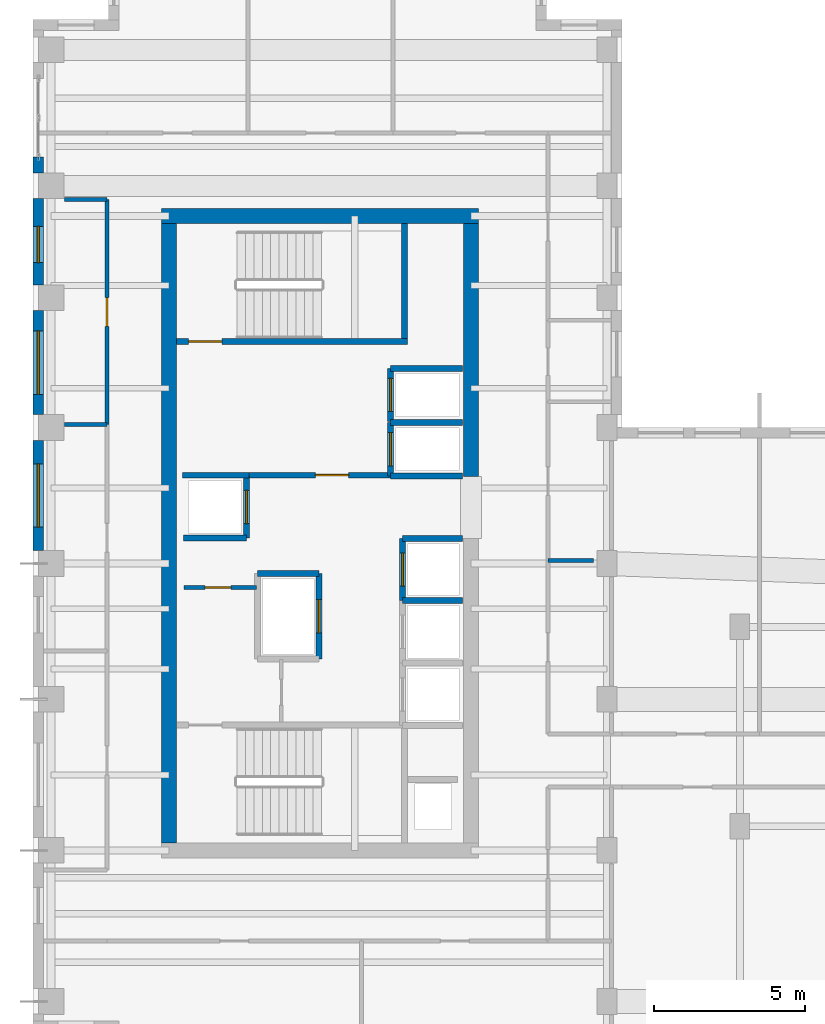
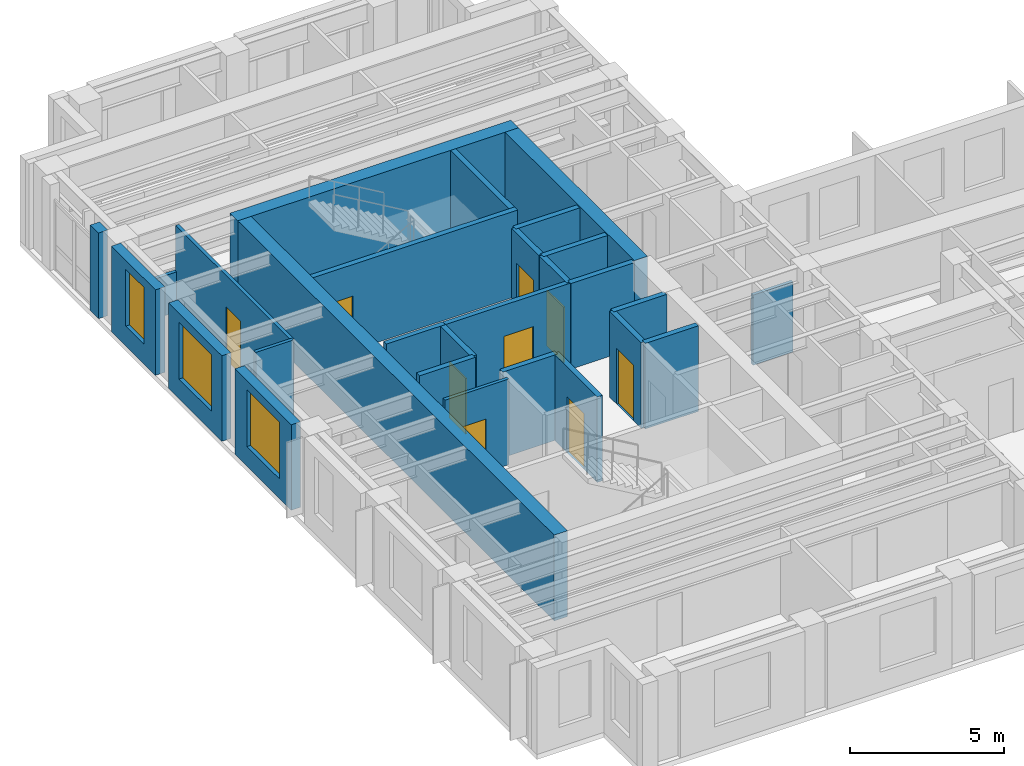
# One storey, part 7 of 13: 28 walls, 9 doors, 3 windows, 12 openings.
"""IFC4 building model written with IfcOpenShell, lengths in metres."""

from ifc_helpers import new_model, si_unit, direction, frame, frame_2d, origin, place, context, subcontext, project, spatial, rectangle, extrude, source, transform, mapped, material, layer, layer_set, type_object, element, fill, save


model = new_model("IFC4")

# Units and contexts
model_context = context("Model", 3, precision=1e-05, world=origin(), true_north=direction((0.0, 1.0)))
body_context = subcontext(model_context, "Body", "Model", "MODEL_VIEW")
ifc_project = project(units=[si_unit("LENGTHUNIT", "METRE"), si_unit("AREAUNIT", "SQUARE_METRE"), si_unit("VOLUMEUNIT", "CUBIC_METRE"), si_unit("PLANEANGLEUNIT", "RADIAN"), si_unit("MASSUNIT", "GRAM", prefix="KILO")], contexts=[model_context])

# Site, building, storey
site_placement = place(None, origin())
site = spatial("IfcSite", under=ifc_project, at=site_placement, CompositionType="ELEMENT")
building_placement = place(site_placement, origin())
building = spatial("IfcBuilding", under=site, at=building_placement, Name="Kharzan Plaza Tower", CompositionType="ELEMENT")
storey_placement = place(building_placement, frame((0.0, 0.0, 259.199951171875)))
storey = spatial("IfcBuildingStorey", under=building, at=storey_placement, Name="L70", CompositionType="ELEMENT", Elevation=259.199951171875)

# Wall, opening, window
ifc_material_1 = material(Name="Concrete C40/50", Category="concrete")
ifc_layer_1 = layer(ifc_material_1, 0.35009765625)
ifc_layer_set_1 = layer_set([ifc_layer_1], Name="Concrete C40/50")
wall_type_1 = type_object("IfcWallType", Name="WL-EXT-MAS-Z4", PredefinedType="SOLIDWALL", material=ifc_layer_set_1)
wall_1_placement = place(storey_placement, frame((0.175048828125, 30.076904296875, 0.0), z_axis=(0.0, 0.0, 1.0), x_axis=(0.0, -1.0, 0.0)))
wall_1 = element("IfcWall", 1, at=wall_1_placement, inside=storey, type_object=wall_type_1, Name="L70 Masonry-Frame Exterior Wall 17", PredefinedType="SOLIDWALL", context=body_context, shape_type="SweptSolid", body=[
    extrude(rectangle(XDim=2.85400390625, YDim=0.35009765625, at=frame_2d((1.427001953125, 0.0))), origin(), (0.0, 0.0, 1.0), 3.385009765625),
])
opening_1_placement = place(wall_1_placement, frame((0.922119140625, 0.0, 0.780029296875)))
opening_1 = element("IfcOpeningElement", 2, at=opening_1_placement, cuts=wall_1, Name="Opening W3", PredefinedType="OPENING", context=body_context, shape_type="SweptSolid", body=[
    extrude(rectangle(XDim=1.199951171875, YDim=2.25, at=frame_2d((0.60009765625, 1.125))), frame((0.0, 0.18505859375, 0.0), z_axis=(0.0, -1.0, 0.0), x_axis=(1.0, 0.0, 0.0)), (0.0, 0.0, 1.0), 0.3701171875),
])
ifc_material_2 = material(Name="Low-E Double Glazing", Category="glass")
window_type_1 = type_object("IfcWindowType", Name="WN-REC-1200x2100", PartitioningType="SINGLE_PANEL", PredefinedType="WINDOW", material=ifc_material_2)
shared_shape_1 = source(origin(), body_context, "Body", "SweptSolid", [
    extrude(rectangle(XDim=1.199951171875, YDim=2.25, at=frame_2d((0.60009765625, 1.125))), frame((0.0, 0.030029296875, 0.0), z_axis=(0.0, -1.0, 0.0), x_axis=(1.0, 0.0, 0.0)), (0.0, 0.0, 1.0), 0.06005859375),
])
window_1_placement = place(opening_1_placement, origin())
window_1 = element("IfcWindow", 3, at=window_1_placement, inside=storey, type_object=window_type_1, Name="L70 Recessed Solar-Control Window 17-1", OverallHeight=2.25, OverallWidth=1.199951171875, PartitioningType="SINGLE_PANEL", PredefinedType="WINDOW", context=body_context, shape_type="MappedRepresentation", body=[
    mapped(shared_shape_1, transform((0.0, 0.0, 0.0), x_axis=(1.0, 0.0, 0.0), y_axis=(0.0, 1.0, 0.0), z_axis=(0.0, 0.0, 1.0))),
])
fill(opening_1, window_1)

wall_2_placement = place(storey_placement, frame((0.175048828125, 26.376953125, 0.0), z_axis=(0.0, 0.0, 1.0), x_axis=(0.0, -1.0, 0.0)))
wall_2 = element("IfcWall", 4, at=wall_2_placement, inside=storey, type_object=wall_type_1, Name="L70 Masonry-Frame Exterior Wall 18", PredefinedType="SOLIDWALL", context=body_context, shape_type="SweptSolid", body=[
    extrude(rectangle(XDim=3.453857421875, YDim=0.35009765625, at=frame_2d((1.72705078125, 0.0))), origin(), (0.0, 0.0, 1.0), 3.385009765625),
])
opening_2_placement = place(wall_2_placement, frame((0.677001953125, 0.0, 0.780029296875)))
opening_2 = element("IfcOpeningElement", 5, at=opening_2_placement, cuts=wall_2, Name="Opening W6", PredefinedType="OPENING", context=body_context, shape_type="SweptSolid", body=[
    extrude(rectangle(XDim=2.10009765625, YDim=2.25, at=frame_2d((1.050048828125, 1.125))), frame((0.0, 0.18505859375, 0.0), z_axis=(0.0, -1.0, 0.0), x_axis=(1.0, 0.0, 0.0)), (0.0, 0.0, 1.0), 0.3701171875),
])
window_type_2 = type_object("IfcWindowType", Name="WN-EXEC-2100x2250", PartitioningType="SINGLE_PANEL", PredefinedType="WINDOW", material=ifc_material_2)
shared_shape_2 = source(origin(), body_context, "Body", "SweptSolid", [
    extrude(rectangle(XDim=2.10009765625, YDim=2.25, at=frame_2d((1.050048828125, 1.125))), frame((0.0, 0.030029296875, 0.0), z_axis=(0.0, -1.0, 0.0), x_axis=(1.0, 0.0, 0.0)), (0.0, 0.0, 1.0), 0.06005859375),
])
window_2_placement = place(opening_2_placement, origin())
window_2 = element("IfcWindow", 6, at=window_2_placement, inside=storey, type_object=window_type_2, Name="L70 Recessed Solar-Control Window 18-1", OverallHeight=2.25, OverallWidth=2.10009765625, PartitioningType="SINGLE_PANEL", PredefinedType="WINDOW", context=body_context, shape_type="MappedRepresentation", body=[
    mapped(shared_shape_2, transform((0.0, 0.0, 0.0), x_axis=(1.0, 0.0, 0.0), y_axis=(0.0, 1.0, 0.0), z_axis=(0.0, 0.0, 1.0))),
])
fill(opening_2, window_2)

wall_3_placement = place(storey_placement, frame((0.175048828125, 22.076904296875, 0.0), z_axis=(0.0, 0.0, 1.0), x_axis=(0.0, -1.0, 0.0)))
wall_3 = element("IfcWall", 7, at=wall_3_placement, inside=storey, type_object=wall_type_1, Name="L70 Masonry-Frame Exterior Wall 19", PredefinedType="SOLIDWALL", context=body_context, shape_type="SweptSolid", body=[
    extrude(rectangle(XDim=3.65380859375, YDim=0.35009765625, at=frame_2d((1.826904296875, 0.0))), origin(), (0.0, 0.0, 1.0), 3.385009765625),
])
opening_3_placement = place(wall_3_placement, frame((0.777099609375, 0.0, 0.780029296875)))
opening_3 = element("IfcOpeningElement", 8, at=opening_3_placement, cuts=wall_3, Name="Opening W6", PredefinedType="OPENING", context=body_context, shape_type="SweptSolid", body=[
    extrude(rectangle(XDim=2.10009765625, YDim=2.25, at=frame_2d((1.050048828125, 1.125))), frame((0.0, 0.18505859375, 0.0), z_axis=(0.0, -1.0, 0.0), x_axis=(1.0, 0.0, 0.0)), (0.0, 0.0, 1.0), 0.3701171875),
])
window_3_placement = place(opening_3_placement, origin())
window_3 = element("IfcWindow", 9, at=window_3_placement, inside=storey, type_object=window_type_2, Name="L70 Recessed Solar-Control Window 19-1", OverallHeight=2.25, OverallWidth=2.10009765625, PartitioningType="SINGLE_PANEL", PredefinedType="WINDOW", context=body_context, shape_type="MappedRepresentation", body=[
    mapped(shared_shape_2, transform((0.0, 0.0, 0.0), x_axis=(1.0, 0.0, 0.0), y_axis=(0.0, 1.0, 0.0), z_axis=(0.0, 0.0, 1.0))),
])
fill(opening_3, window_3)

# Wall, opening, door
ifc_layer_2 = layer(ifc_material_1, 0.179931640625)
ifc_layer_set_2 = layer_set([ifc_layer_2], Name="Concrete C40/50")
wall_type_2 = type_object("IfcWallType", Name="WL-INT-FIRE-180", PredefinedType="PARTITIONING", material=ifc_layer_set_2)
wall_4_placement = place(storey_placement, frame((7.14990234375, 20.919921875, 0.0), z_axis=(0.0, 0.0, 1.0), x_axis=(1.0, 0.0, 0.0)))
wall_4 = element("IfcWall", 10, at=wall_4_placement, inside=storey, type_object=wall_type_2, Name="L70 Interior Partition CA-FF-S", PredefinedType="PARTITIONING", context=body_context, shape_type="SweptSolid", body=[
    extrude(rectangle(XDim=4.68017578125, YDim=0.179931640625, at=frame_2d((2.340087890625, 0.0))), origin(), (0.0, 0.0, 1.0), 3.385009765625),
])
opening_4_placement = place(wall_4_placement, frame((2.199951171875, 0.0, 0.0)))
opening_4 = element("IfcOpeningElement", 11, at=opening_4_placement, cuts=wall_4, Name="Opening FD1", PredefinedType="OPENING", context=body_context, shape_type="SweptSolid", body=[
    extrude(rectangle(XDim=1.10009765625, YDim=2.14990234375, at=frame_2d((0.550048828125, 1.074951171875))), frame((0.0, 0.099853515625, 0.0), z_axis=(0.0, -1.0, 0.0), x_axis=(1.0, 0.0, 0.0)), (0.0, 0.0, 1.0), 0.199951171875),
])
ifc_material_3 = material(Name="Fire-Rated Acoustic Vision-Panel Steel", Category="steel")
door_type_1 = type_object("IfcDoorType", Name="DR-FIRE-LOBBY", OperationType="NOTDEFINED", PredefinedType="DOOR", material=ifc_material_3)
shared_shape_3 = source(origin(), body_context, "Body", "SweptSolid", [
    extrude(rectangle(XDim=1.10009765625, YDim=2.14990234375, at=frame_2d((0.550048828125, 1.074951171875))), frame((0.0, 0.02490234375, 0.0), z_axis=(0.0, -1.0, 0.0), x_axis=(1.0, 0.0, 0.0)), (0.0, 0.0, 1.0), 0.050048828125),
])
door_1_placement = place(opening_4_placement, origin())
door_1 = element("IfcDoor", 12, at=door_1_placement, inside=storey, type_object=door_type_1, Name="L70 Firefighting Lobby Door", OperationType="SINGLE_SWING_RIGHT", OverallHeight=2.14990234375, OverallWidth=1.10009765625, PredefinedType="DOOR", context=body_context, shape_type="MappedRepresentation", body=[
    mapped(shared_shape_3, transform((0.0, 0.0, 0.0), x_axis=(1.0, 0.0, 0.0), y_axis=(0.0, 1.0, 0.0), z_axis=(0.0, 0.0, 1.0))),
])
fill(opening_4, door_1)

ifc_material_4 = material(Name="Fire-Rated Gypsum Board Partition", Category="gypsum")
ifc_layer_3 = layer(ifc_material_4, 0.125)
ifc_layer_set_3 = layer_set([ifc_layer_3], Name="Fire-Rated Gypsum Board Partition")
wall_type_3 = type_object("IfcWallType", Name="WL-INT-PART-125", PredefinedType="PARTITIONING", material=ifc_layer_set_3)
wall_5_placement = place(storey_placement, frame((5.0, 17.199951171875, 0.0), z_axis=(0.0, 0.0, 1.0), x_axis=(1.0, 0.0, 0.0)))
wall_5 = element("IfcWall", 13, at=wall_5_placement, inside=storey, type_object=wall_type_3, Name="L70 Interior Partition CA-K1N2", PredefinedType="PARTITIONING", context=body_context, shape_type="SweptSolid", body=[
    extrude(rectangle(XDim=2.39990234375, YDim=0.125, at=frame_2d((1.199951171875, 0.0))), origin(), (0.0, 0.0, 1.0), 3.385009765625),
])
opening_5_placement = place(wall_5_placement, frame((0.699951171875, 0.0, 0.0)))
opening_5 = element("IfcOpeningElement", 14, at=opening_5_placement, cuts=wall_5, Name="Opening RD1", PredefinedType="OPENING", context=body_context, shape_type="SweptSolid", body=[
    extrude(rectangle(XDim=0.85009765625, YDim=2.10009765625, at=frame_2d((0.425048828125, 1.050048828125))), frame((0.0, 0.072509765625, 0.0), z_axis=(0.0, -1.0, 0.0), x_axis=(1.0, 0.0, 0.0)), (0.0, 0.0, 1.0), 0.14501953125),
])
ifc_material_5 = material(Name="Powder-Coated Fire-Rated Steel", Category="steel")
door_type_2 = type_object("IfcDoorType", Name="DR-RISER-900", OperationType="NOTDEFINED", PredefinedType="DOOR", material=ifc_material_5)
shared_shape_4 = source(origin(), body_context, "Body", "SweptSolid", [
    extrude(rectangle(XDim=0.85009765625, YDim=2.10009765625, at=frame_2d((0.425048828125, 1.050048828125))), frame((0.0, 0.02490234375, 0.0), z_axis=(0.0, -1.0, 0.0), x_axis=(1.0, 0.0, 0.0)), (0.0, 0.0, 1.0), 0.050048828125),
])
door_2_placement = place(opening_5_placement, origin())
door_2 = element("IfcDoor", 15, at=door_2_placement, inside=storey, type_object=door_type_2, Name="L70 Core Storage Room Door", OperationType="SINGLE_SWING_LEFT", OverallHeight=2.10009765625, OverallWidth=0.85009765625, PredefinedType="DOOR", context=body_context, shape_type="MappedRepresentation", body=[
    mapped(shared_shape_4, transform((0.0, 0.0, 0.0), x_axis=(1.0, 0.0, 0.0), y_axis=(0.0, 1.0, 0.0), z_axis=(0.0, 0.0, 1.0))),
])
fill(opening_5, door_2)

wall_6_placement = place(storey_placement, frame((2.449951171875, 22.60009765625, 0.0), z_axis=(0.0, 0.0, 1.0), x_axis=(0.0, 1.0, 0.0)))
wall_6 = element("IfcWall", 16, at=wall_6_placement, inside=storey, type_object=wall_type_3, Name="L70 Interior Partition SH-WW-3", PredefinedType="PARTITIONING", context=body_context, shape_type="SweptSolid", body=[
    extrude(rectangle(XDim=7.449951171875, YDim=0.125, at=frame_2d((3.72509765625, 0.0))), origin(), (0.0, 0.0, 1.0), 3.385009765625),
])
opening_6_placement = place(wall_6_placement, frame((3.25, 0.0, 0.0)))
opening_6 = element("IfcOpeningElement", 17, at=opening_6_placement, cuts=wall_6, Name="Opening OD1", PredefinedType="OPENING", context=body_context, shape_type="SweptSolid", body=[
    extrude(rectangle(XDim=0.949951171875, YDim=2.14990234375, at=frame_2d((0.47509765625, 1.074951171875))), frame((0.0, 0.072509765625, 0.0), z_axis=(0.0, -1.0, 0.0), x_axis=(1.0, 0.0, 0.0)), (0.0, 0.0, 1.0), 0.14501953125),
])
ifc_material_6 = material(Name="Acoustic Solid-Core Stained Oak", Category="timber")
door_type_3 = type_object("IfcDoorType", Name="DR-OFF-SINGLE", OperationType="NOTDEFINED", PredefinedType="DOOR", material=ifc_material_6)
shared_shape_5 = source(origin(), body_context, "Body", "SweptSolid", [
    extrude(rectangle(XDim=0.949951171875, YDim=2.14990234375, at=frame_2d((0.47509765625, 1.074951171875))), frame((0.0, 0.02490234375, 0.0), z_axis=(0.0, -1.0, 0.0), x_axis=(1.0, 0.0, 0.0)), (0.0, 0.0, 1.0), 0.050048828125),
])
door_3_placement = place(opening_6_placement, origin())
door_3 = element("IfcDoor", 18, at=door_3_placement, inside=storey, type_object=door_type_3, Name="L70 Executive Boardroom Door", OperationType="SINGLE_SWING_RIGHT", OverallHeight=2.14990234375, OverallWidth=0.949951171875, PredefinedType="DOOR", context=body_context, shape_type="MappedRepresentation", body=[
    mapped(shared_shape_5, transform((0.0, 0.0, 0.0), x_axis=(1.0, 0.0, 0.0), y_axis=(0.0, 1.0, 0.0), z_axis=(0.0, 0.0, 1.0))),
])
fill(opening_6, door_3)

ifc_layer_4 = layer(ifc_material_1, 0.199951171875)
ifc_layer_set_4 = layer_set([ifc_layer_4], Name="Concrete C40/50")
wall_type_4 = type_object("IfcWallType", Name="WL-INT-SHAFT-200", PredefinedType="PARTITIONING", material=ifc_layer_set_4)
wall_7_placement = place(storey_placement, frame((11.830078125, 20.89990234375, 0.0), z_axis=(0.0, 0.0, 1.0), x_axis=(0.0, 1.0, 0.0)))
wall_7 = element("IfcWall", 19, at=wall_7_placement, inside=storey, type_object=wall_type_4, Name="L70 Interior Partition SHF-FFL-1-W", PredefinedType="PARTITIONING", context=body_context, shape_type="SweptSolid", body=[
    extrude(rectangle(XDim=1.760009765625, YDim=0.199951171875, at=frame_2d((0.8798828125, 0.0))), origin(), (0.0, 0.0, 1.0), 3.385009765625),
])
opening_7_placement = place(wall_7_placement, frame((0.330078125, 0.0, 0.0)))
opening_7 = element("IfcOpeningElement", 20, at=opening_7_placement, cuts=wall_7, Name="Opening LD", PredefinedType="OPENING", context=body_context, shape_type="SweptSolid", body=[
    extrude(rectangle(XDim=1.10009765625, YDim=2.199951171875, at=frame_2d((0.550048828125, 1.10009765625))), frame((0.0, 0.10986328125, 0.0), z_axis=(0.0, -1.0, 0.0), x_axis=(1.0, 0.0, 0.0)), (0.0, 0.0, 1.0), 0.219970703125),
])
ifc_material_7 = material(Name="Brushed Stainless Steel", Category="steel")
door_type_4 = type_object("IfcDoorType", Name="DR-LIFT-SLIDE", OperationType="SLIDING_TO_LEFT", PredefinedType="DOOR", material=ifc_material_7)
shared_shape_6 = source(origin(), body_context, "Body", "SweptSolid", [
    extrude(rectangle(XDim=1.10009765625, YDim=2.199951171875, at=frame_2d((0.550048828125, 1.10009765625))), frame((0.0, 0.02490234375, 0.0), z_axis=(0.0, -1.0, 0.0), x_axis=(1.0, 0.0, 0.0)), (0.0, 0.0, 1.0), 0.050048828125),
])
door_4_placement = place(opening_7_placement, origin())
door_4 = element("IfcDoor", 21, at=door_4_placement, inside=storey, type_object=door_type_4, Name="L70 Firefighting Lift FFL-1 Sliding Landing Door", OperationType="SLIDING_TO_LEFT", OverallHeight=2.199951171875, OverallWidth=1.10009765625, PredefinedType="DOOR", context=body_context, shape_type="MappedRepresentation", body=[
    mapped(shared_shape_6, transform((0.0, 0.0, 0.0), x_axis=(1.0, 0.0, 0.0), y_axis=(0.0, 1.0, 0.0), z_axis=(0.0, 0.0, 1.0))),
])
fill(opening_7, door_4)

wall_8_placement = place(storey_placement, frame((11.830078125, 22.699951171875, 0.0), z_axis=(0.0, 0.0, 1.0), x_axis=(0.0, 1.0, 0.0)))
wall_8 = element("IfcWall", 22, at=wall_8_placement, inside=storey, type_object=wall_type_4, Name="L70 Interior Partition SHF-FFL-2-W", PredefinedType="PARTITIONING", context=body_context, shape_type="SweptSolid", body=[
    extrude(rectangle(XDim=1.760009765625, YDim=0.199951171875, at=frame_2d((0.8798828125, 0.0))), origin(), (0.0, 0.0, 1.0), 3.385009765625),
])
opening_8_placement = place(wall_8_placement, frame((0.330078125, 0.0, 0.0)))
opening_8 = element("IfcOpeningElement", 23, at=opening_8_placement, cuts=wall_8, Name="Opening LD", PredefinedType="OPENING", context=body_context, shape_type="SweptSolid", body=[
    extrude(rectangle(XDim=1.10009765625, YDim=2.199951171875, at=frame_2d((0.550048828125, 1.10009765625))), frame((0.0, 0.10986328125, 0.0), z_axis=(0.0, -1.0, 0.0), x_axis=(1.0, 0.0, 0.0)), (0.0, 0.0, 1.0), 0.219970703125),
])
door_5_placement = place(opening_8_placement, origin())
door_5 = element("IfcDoor", 24, at=door_5_placement, inside=storey, type_object=door_type_4, Name="L70 Firefighting Lift FFL-2 Sliding Landing Door", OperationType="SLIDING_TO_LEFT", OverallHeight=2.199951171875, OverallWidth=1.10009765625, PredefinedType="DOOR", context=body_context, shape_type="MappedRepresentation", body=[
    mapped(shared_shape_6, transform((0.0, 0.0, 0.0), x_axis=(1.0, 0.0, 0.0), y_axis=(0.0, 1.0, 0.0), z_axis=(0.0, 0.0, 1.0))),
])
fill(opening_8, door_5)

wall_9_placement = place(storey_placement, frame((12.22998046875, 16.77001953125, 0.0), z_axis=(0.0, 0.0, 1.0), x_axis=(0.0, 1.0, 0.0)))
wall_9 = element("IfcWall", 25, at=wall_9_placement, inside=storey, type_object=wall_type_4, Name="L70 Interior Partition SHF-PL-H3-W", PredefinedType="PARTITIONING", context=body_context, shape_type="SweptSolid", body=[
    extrude(rectangle(XDim=2.050048828125, YDim=0.199951171875, at=frame_2d((1.02490234375, 0.0))), origin(), (0.0, 0.0, 1.0), 3.385009765625),
])
opening_9_placement = place(wall_9_placement, frame((0.47509765625, 0.0, 0.0)))
opening_9 = element("IfcOpeningElement", 26, at=opening_9_placement, cuts=wall_9, Name="Opening LD", PredefinedType="OPENING", context=body_context, shape_type="SweptSolid", body=[
    extrude(rectangle(XDim=1.10009765625, YDim=2.199951171875, at=frame_2d((0.550048828125, 1.10009765625))), frame((0.0, 0.10986328125, 0.0), z_axis=(0.0, -1.0, 0.0), x_axis=(1.0, 0.0, 0.0)), (0.0, 0.0, 1.0), 0.219970703125),
])
door_6_placement = place(opening_9_placement, origin())
door_6 = element("IfcDoor", 27, at=door_6_placement, inside=storey, type_object=door_type_4, Name="L70 High-Rise Passenger Lift PL-H3 Sliding Landing Door", OperationType="SLIDING_TO_LEFT", OverallHeight=2.199951171875, OverallWidth=1.10009765625, PredefinedType="DOOR", context=body_context, shape_type="MappedRepresentation", body=[
    mapped(shared_shape_6, transform((0.0, 0.0, 0.0), x_axis=(1.0, 0.0, 0.0), y_axis=(0.0, 1.0, 0.0), z_axis=(0.0, 0.0, 1.0))),
])
fill(opening_9, door_6)

wall_10_placement = place(storey_placement, frame((7.070068359375, 18.840087890625, 0.0), z_axis=(0.0, 0.0, 1.0), x_axis=(0.0, 1.0, 0.0)))
wall_10 = element("IfcWall", 28, at=wall_10_placement, inside=storey, type_object=wall_type_4, Name="L70 Interior Partition SHF-PL-H4-E", PredefinedType="PARTITIONING", context=body_context, shape_type="SweptSolid", body=[
    extrude(rectangle(XDim=2.059814453125, YDim=0.199951171875, at=frame_2d((1.02978515625, 0.0))), origin(), (0.0, 0.0, 1.0), 3.385009765625),
])
opening_10_placement = place(wall_10_placement, frame((0.47998046875, 0.0, 0.0)))
opening_10 = element("IfcOpeningElement", 29, at=opening_10_placement, cuts=wall_10, Name="Opening LD", PredefinedType="OPENING", context=body_context, shape_type="SweptSolid", body=[
    extrude(rectangle(XDim=1.10009765625, YDim=2.199951171875, at=frame_2d((0.550048828125, 1.10009765625))), frame((0.0, 0.10986328125, 0.0), z_axis=(0.0, -1.0, 0.0), x_axis=(1.0, 0.0, 0.0)), (0.0, 0.0, 1.0), 0.219970703125),
])
door_7_placement = place(opening_10_placement, origin())
door_7 = element("IfcDoor", 30, at=door_7_placement, inside=storey, type_object=door_type_4, Name="L70 High-Rise Passenger Lift PL-H4 Sliding Landing Door", OperationType="SLIDING_TO_LEFT", OverallHeight=2.199951171875, OverallWidth=1.10009765625, PredefinedType="DOOR", context=body_context, shape_type="MappedRepresentation", body=[
    mapped(shared_shape_6, transform((0.0, 0.0, 0.0), x_axis=(1.0, 0.0, 0.0), y_axis=(0.0, 1.0, 0.0), z_axis=(0.0, 0.0, 1.0))),
])
fill(opening_10, door_7)

wall_11_placement = place(storey_placement, frame((9.469970703125, 14.830078125, 0.0), z_axis=(0.0, 0.0, 1.0), x_axis=(0.0, 1.0, 0.0)))
wall_11 = element("IfcWall", 31, at=wall_11_placement, inside=storey, type_object=wall_type_4, Name="L70 Interior Partition SHF-SVL-1-E", PredefinedType="PARTITIONING", context=body_context, shape_type="SweptSolid", body=[
    extrude(rectangle(XDim=2.83984375, YDim=0.199951171875, at=frame_2d((1.419921875, 0.0))), origin(), (0.0, 0.0, 1.0), 3.385009765625),
])
opening_11_placement = place(wall_11_placement, frame((0.8701171875, 0.0, 0.0)))
opening_11 = element("IfcOpeningElement", 32, at=opening_11_placement, cuts=wall_11, Name="Opening LD", PredefinedType="OPENING", context=body_context, shape_type="SweptSolid", body=[
    extrude(rectangle(XDim=1.10009765625, YDim=2.199951171875, at=frame_2d((0.550048828125, 1.10009765625))), frame((0.0, 0.10986328125, 0.0), z_axis=(0.0, -1.0, 0.0), x_axis=(1.0, 0.0, 0.0)), (0.0, 0.0, 1.0), 0.219970703125),
])
door_8_placement = place(opening_11_placement, origin())
door_8 = element("IfcDoor", 33, at=door_8_placement, inside=storey, type_object=door_type_4, Name="L70 Service Lift SVL-1 Sliding Landing Door", OperationType="SLIDING_TO_LEFT", OverallHeight=2.199951171875, OverallWidth=1.10009765625, PredefinedType="DOOR", context=body_context, shape_type="MappedRepresentation", body=[
    mapped(shared_shape_6, transform((0.0, 0.0, 0.0), x_axis=(1.0, 0.0, 0.0), y_axis=(0.0, 1.0, 0.0), z_axis=(0.0, 0.0, 1.0))),
])
fill(opening_11, door_8)

ifc_material_8 = material(Name="Concrete C50/60", Category="concrete")
ifc_layer_5 = layer(ifc_material_8, 0.199951171875)
ifc_layer_set_5 = layer_set([ifc_layer_5], Name="Concrete C50/60")
wall_type_5 = type_object("IfcWallType", Name="WL-SHAFT-RC200", PredefinedType="SHEAR", material=ifc_layer_set_5)
wall_12_placement = place(storey_placement, frame((4.751953125, 25.344970703125, 0.0), z_axis=(0.0, 0.0, 1.0), x_axis=(1.0, 0.0, 0.0)))
wall_12 = element("IfcWall", 34, at=wall_12_placement, inside=storey, type_object=wall_type_5, Name="L70 Stair ST-2 South RC Shaft Wall", PredefinedType="SHEAR", context=body_context, shape_type="SweptSolid", body=[
    extrude(rectangle(XDim=7.653076171875, YDim=0.199951171875, at=frame_2d((3.82666015625, 0.0))), origin(), (0.0, 0.0, 1.0), 3.400146484375),
])
opening_12_placement = place(wall_12_placement, frame((0.39990234375, 0.0, 0.0)))
opening_12 = element("IfcOpeningElement", 35, at=opening_12_placement, cuts=wall_12, Name="Opening SD1", PredefinedType="OPENING", context=body_context, shape_type="SweptSolid", body=[
    extrude(rectangle(XDim=1.10009765625, YDim=2.14990234375, at=frame_2d((0.550048828125, 1.074951171875))), frame((0.0, 0.10986328125, 0.0), z_axis=(0.0, -1.0, 0.0), x_axis=(1.0, 0.0, 0.0)), (0.0, 0.0, 1.0), 0.219970703125),
])
ifc_material_9 = material(Name="Fire-Rated Hollow Galvanized Steel", Category="steel")
door_type_5 = type_object("IfcDoorType", Name="DR-STAIR-FD120", OperationType="NOTDEFINED", PredefinedType="DOOR", material=ifc_material_9)
shared_shape_7 = source(origin(), body_context, "Body", "SweptSolid", [
    extrude(rectangle(XDim=1.10009765625, YDim=2.14990234375, at=frame_2d((0.550048828125, 1.074951171875))), frame((0.0, 0.02490234375, 0.0), z_axis=(0.0, -1.0, 0.0), x_axis=(1.0, 0.0, 0.0)), (0.0, 0.0, 1.0), 0.050048828125),
])
door_9_placement = place(opening_12_placement, origin())
door_9 = element("IfcDoor", 36, at=door_9_placement, inside=storey, type_object=door_type_5, Name="L70 Stair ST-2 Fire Exit Door", OperationType="SINGLE_SWING_LEFT", OverallHeight=2.14990234375, OverallWidth=1.10009765625, PredefinedType="DOOR", context=body_context, shape_type="MappedRepresentation", body=[
    mapped(shared_shape_7, transform((0.0, 0.0, 0.0), x_axis=(1.0, 0.0, 0.0), y_axis=(0.0, 1.0, 0.0), z_axis=(0.0, 0.0, 1.0))),
])
fill(opening_12, door_9)

# Walls
shared_shape_8 = source(origin(), body_context, "Body", "SweptSolid", [
    extrude(rectangle(XDim=2.199951171875, YDim=0.179931640625, at=frame_2d((1.10009765625, 0.0))), origin(), (0.0, 0.0, 1.0), 3.385009765625),
])
wall_13_placement = place(storey_placement, frame((4.949951171875, 20.919921875, 0.0), z_axis=(0.0, 0.0, 1.0), x_axis=(1.0, 0.0, 0.0)))
element("IfcWall", 37, at=wall_13_placement, inside=storey, type_object=wall_type_2, Name="L70 Interior Partition CA-FF-SW", PredefinedType="PARTITIONING", context=body_context, shape_type="MappedRepresentation", body=[
    mapped(shared_shape_8, transform((0.0, 0.0, 0.0), x_axis=(1.0, 0.0, 0.0), y_axis=(0.0, 1.0, 0.0), z_axis=(0.0, 0.0, 1.0))),
])
shared_shape_9 = source(origin(), body_context, "Body", "SweptSolid", [
    extrude(rectangle(XDim=2.090087890625, YDim=0.199951171875, at=frame_2d((1.044921875, 0.0))), origin(), (0.0, 0.0, 1.0), 3.385009765625),
])
wall_14_placement = place(storey_placement, frame((4.97998046875, 18.840087890625, 0.0), z_axis=(0.0, 0.0, 1.0), x_axis=(1.0, 0.0, 0.0)))
element("IfcWall", 38, at=wall_14_placement, inside=storey, type_object=wall_type_4, Name="L70 Interior Partition SHF-PL-H4-S", PredefinedType="PARTITIONING", context=body_context, shape_type="MappedRepresentation", body=[
    mapped(shared_shape_9, transform((0.0, 0.0, 0.0), x_axis=(1.0, 0.0, 0.0), y_axis=(0.0, 1.0, 0.0), z_axis=(0.0, 0.0, 1.0))),
])
shared_shape_10 = source(origin(), body_context, "Body", "SweptSolid", [
    extrude(rectangle(XDim=2.0400390625, YDim=0.199951171875, at=frame_2d((1.02001953125, 0.0))), origin(), (0.0, 0.0, 1.0), 3.385009765625),
])
wall_15_placement = place(storey_placement, frame((7.429931640625, 17.669921875, 0.0), z_axis=(0.0, 0.0, 1.0), x_axis=(1.0, 0.0, 0.0)))
element("IfcWall", 39, at=wall_15_placement, inside=storey, type_object=wall_type_4, Name="L70 Interior Partition SHF-SVL-1-N", PredefinedType="PARTITIONING", context=body_context, shape_type="MappedRepresentation", body=[
    mapped(shared_shape_10, transform((0.0, 0.0, 0.0), x_axis=(1.0, 0.0, 0.0), y_axis=(0.0, 1.0, 0.0), z_axis=(0.0, 0.0, 1.0))),
])
ifc_layer_6 = layer(ifc_material_8, 0.5)
ifc_layer_set_6 = layer_set([ifc_layer_6], Name="Concrete C50/60")
wall_type_6 = type_object("IfcWallType", Name="WL-CORE-500", PredefinedType="SHEAR", material=ifc_layer_set_6)
shared_shape_11 = source(origin(), body_context, "Body", "SweptSolid", [
    extrude(rectangle(XDim=8.3701171875, YDim=0.5, at=frame_2d((4.18505859375, 0.0))), origin(), (0.0, 0.0, 1.0), 3.400146484375),
])
wall_16_placement = place(storey_placement, frame((14.5, 20.8798828125, 0.0), z_axis=(0.0, 0.0, 1.0), x_axis=(0.0, 1.0, 0.0)))
element("IfcWall", 40, at=wall_16_placement, inside=storey, type_object=wall_type_6, Name="L70 CORE-A east shear pier 2", PredefinedType="SHEAR", context=body_context, shape_type="MappedRepresentation", body=[
    mapped(shared_shape_11, transform((0.0, 0.0, 0.0), x_axis=(1.0, 0.0, 0.0), y_axis=(0.0, 1.0, 0.0), z_axis=(0.0, 0.0, 1.0))),
])
shared_shape_12 = source(origin(), body_context, "Body", "SweptSolid", [
    extrude(rectangle(XDim=10.5, YDim=0.5, at=frame_2d((5.25, 0.0))), origin(), (0.0, 0.0, 1.0), 3.400146484375),
])
wall_17_placement = place(storey_placement, frame((4.25, 29.5, 0.0), z_axis=(0.0, 0.0, 1.0), x_axis=(1.0, 0.0, 0.0)))
element("IfcWall", 41, at=wall_17_placement, inside=storey, type_object=wall_type_6, Name="L70 CORE-A north RC shear wall", PredefinedType="SHEAR", context=body_context, shape_type="MappedRepresentation", body=[
    mapped(shared_shape_12, transform((0.0, 0.0, 0.0), x_axis=(1.0, 0.0, 0.0), y_axis=(0.0, 1.0, 0.0), z_axis=(0.0, 0.0, 1.0))),
])
shared_shape_13 = source(origin(), body_context, "Body", "SweptSolid", [
    extrude(rectangle(XDim=20.5, YDim=0.5, at=frame_2d((10.25, 0.0))), origin(), (0.0, 0.0, 1.0), 3.400146484375),
])
wall_18_placement = place(storey_placement, frame((4.5, 8.75, 0.0), z_axis=(0.0, 0.0, 1.0), x_axis=(0.0, 1.0, 0.0)))
element("IfcWall", 42, at=wall_18_placement, inside=storey, type_object=wall_type_6, Name="L70 CORE-A west RC shear wall", PredefinedType="SHEAR", context=body_context, shape_type="MappedRepresentation", body=[
    mapped(shared_shape_13, transform((0.0, 0.0, 0.0), x_axis=(1.0, 0.0, 0.0), y_axis=(0.0, 1.0, 0.0), z_axis=(0.0, 0.0, 1.0))),
])
shared_shape_14 = source(origin(), body_context, "Body", "SweptSolid", [
    extrude(rectangle(XDim=0.52685546875, YDim=0.35009765625, at=frame_2d((0.263427734375, 0.0))), origin(), (0.0, 0.0, 1.0), 3.385009765625),
])
wall_19_placement = place(storey_placement, frame((0.175048828125, 31.449951171875, 0.0), z_axis=(0.0, 0.0, 1.0), x_axis=(0.0, -1.0, 0.0)))
element("IfcWall", 43, at=wall_19_placement, inside=storey, type_object=wall_type_1, Name="L70 Masonry-Frame Exterior Wall 16", PredefinedType="SOLIDWALL", context=body_context, shape_type="MappedRepresentation", body=[
    mapped(shared_shape_14, transform((0.0, 0.0, 0.0), x_axis=(1.0, 0.0, 0.0), y_axis=(0.0, 1.0, 0.0), z_axis=(0.0, 0.0, 1.0))),
])
shared_shape_15 = source(origin(), body_context, "Body", "SweptSolid", [
    extrude(rectangle(XDim=2.389892578125, YDim=0.199951171875, at=frame_2d((1.19482421875, 0.0))), origin(), (0.0, 0.0, 1.0), 3.385009765625),
])
for number, where, z_axis, x_axis, name in (
    (44, (11.830078125, 22.659912109375, 0.0), (0.0, 0.0, 1.0), (1.0, 0.0, 0.0), "L70 Interior Partition SHF-FFL-1-N"),
    (45, (11.830078125, 20.89990234375, 0.0), (0.0, 0.0, 1.0), (1.0, 0.0, 0.0), "L70 Interior Partition SHF-FFL-1-S"),
    (46, (11.830078125, 24.4599609375, 0.0), (0.0, 0.0, 1.0), (1.0, 0.0, 0.0), "L70 Interior Partition SHF-FFL-2-N"),
):
    element("IfcWall", number, at=place(storey_placement, frame(where, z_axis=z_axis, x_axis=x_axis)), inside=storey, type_object=wall_type_4, Name=name, PredefinedType="PARTITIONING", context=body_context, shape_type="MappedRepresentation", body=[
        mapped(shared_shape_15, transform((0.0, 0.0, 0.0), x_axis=(1.0, 0.0, 0.0), y_axis=(0.0, 1.0, 0.0), z_axis=(0.0, 0.0, 1.0))),
    ])
shared_shape_16 = source(origin(), body_context, "Body", "SweptSolid", [
    extrude(rectangle(XDim=1.989990234375, YDim=0.199951171875, at=frame_2d((0.9951171875, 0.0))), origin(), (0.0, 0.0, 1.0), 3.385009765625),
])
for number, where, z_axis, x_axis, name in (
    (47, (12.22998046875, 16.77001953125, 0.0), (0.0, 0.0, 1.0), (1.0, 0.0, 0.0), "L70 Interior Partition SHF-PL-H2-N"),
    (48, (12.22998046875, 18.820068359375, 0.0), (0.0, 0.0, 1.0), (1.0, 0.0, 0.0), "L70 Interior Partition SHF-PL-H3-N"),
):
    element("IfcWall", number, at=place(storey_placement, frame(where, z_axis=z_axis, x_axis=x_axis)), inside=storey, type_object=wall_type_4, Name=name, PredefinedType="PARTITIONING", context=body_context, shape_type="MappedRepresentation", body=[
        mapped(shared_shape_16, transform((0.0, 0.0, 0.0), x_axis=(1.0, 0.0, 0.0), y_axis=(0.0, 1.0, 0.0), z_axis=(0.0, 0.0, 1.0))),
    ])
shared_shape_17 = source(origin(), body_context, "Body", "SweptSolid", [
    extrude(rectangle(XDim=3.802978515625, YDim=0.199951171875, at=frame_2d((1.9013671875, 0.0))), origin(), (0.0, 0.0, 1.0), 3.400146484375),
])
wall_20_placement = place(storey_placement, frame((12.304931640625, 25.445068359375, 0.0), z_axis=(0.0, 0.0, 1.0), x_axis=(0.0, 1.0, 0.0)))
element("IfcWall", 49, at=wall_20_placement, inside=storey, type_object=wall_type_5, Name="L70 Stair ST-2 East RC Shaft Wall", PredefinedType="SHEAR", context=body_context, shape_type="MappedRepresentation", body=[
    mapped(shared_shape_17, transform((0.0, 0.0, 0.0), x_axis=(1.0, 0.0, 0.0), y_axis=(0.0, 1.0, 0.0), z_axis=(0.0, 0.0, 1.0))),
])
shared_shape_18 = source(origin(), body_context, "Body", "SweptSolid", [
    extrude(rectangle(XDim=1.5, YDim=0.125, at=frame_2d((0.75, 0.0))), origin(), (0.0, 0.0, 1.0), 2.77294921875),
])
wall_21_placement = place(storey_placement, frame((17.050048828125, 18.10009765625, 0.0), z_axis=(0.0, 0.0, 1.0), x_axis=(1.0, 0.0, 0.0)))
element("IfcWall", 50, at=wall_21_placement, inside=storey, type_object=wall_type_3, Name="L70 Interior Partition SH-AEH-181", PredefinedType="PARTITIONING", context=body_context, shape_type="MappedRepresentation", body=[
    mapped(shared_shape_18, transform((0.0, 0.0, 0.0), x_axis=(1.0, 0.0, 0.0), y_axis=(0.0, 1.0, 0.0), z_axis=(0.0, 0.0, 1.0))),
])
shared_shape_19 = source(origin(), body_context, "Body", "SweptSolid", [
    extrude(rectangle(XDim=1.39990234375, YDim=0.125, at=frame_2d((0.699951171875, 0.0))), origin(), (0.0, 0.0, 1.0), 3.385009765625),
])
wall_22_placement = place(storey_placement, frame((1.050048828125, 22.60009765625, 0.0), z_axis=(0.0, 0.0, 1.0), x_axis=(1.0, 0.0, 0.0)))
element("IfcWall", 51, at=wall_22_placement, inside=storey, type_object=wall_type_3, Name="L70 Interior Partition SH-WH-2", PredefinedType="PARTITIONING", context=body_context, shape_type="MappedRepresentation", body=[
    mapped(shared_shape_19, transform((0.0, 0.0, 0.0), x_axis=(1.0, 0.0, 0.0), y_axis=(0.0, 1.0, 0.0), z_axis=(0.0, 0.0, 1.0))),
])
shared_shape_20 = source(origin(), body_context, "Body", "SweptSolid", [
    extrude(rectangle(XDim=1.39990234375, YDim=0.125, at=frame_2d((0.699951171875, 0.0))), origin(), (0.0, 0.0, 1.0), 1.5849609375),
])
wall_23_placement = place(storey_placement, frame((1.050048828125, 30.050048828125, 0.0), z_axis=(0.0, 0.0, 1.0), x_axis=(1.0, 0.0, 0.0)))
element("IfcWall", 52, at=wall_23_placement, inside=storey, type_object=wall_type_3, Name="L70 Interior Partition SH-RWN0", PredefinedType="PARTITIONING", context=body_context, shape_type="MappedRepresentation", body=[
    mapped(shared_shape_20, transform((0.0, 0.0, 0.0), x_axis=(1.0, 0.0, 0.0), y_axis=(0.0, 1.0, 0.0), z_axis=(0.0, 0.0, 1.0))),
])

save(model, "model.ifc")
